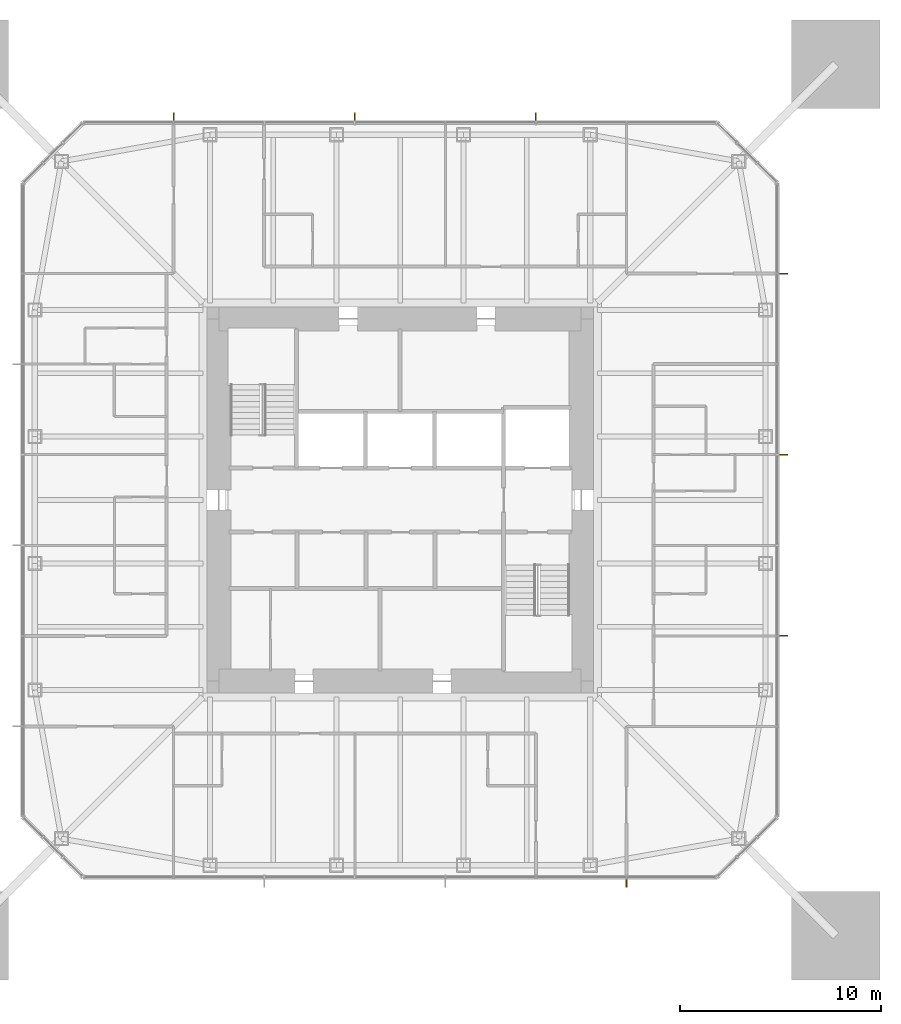
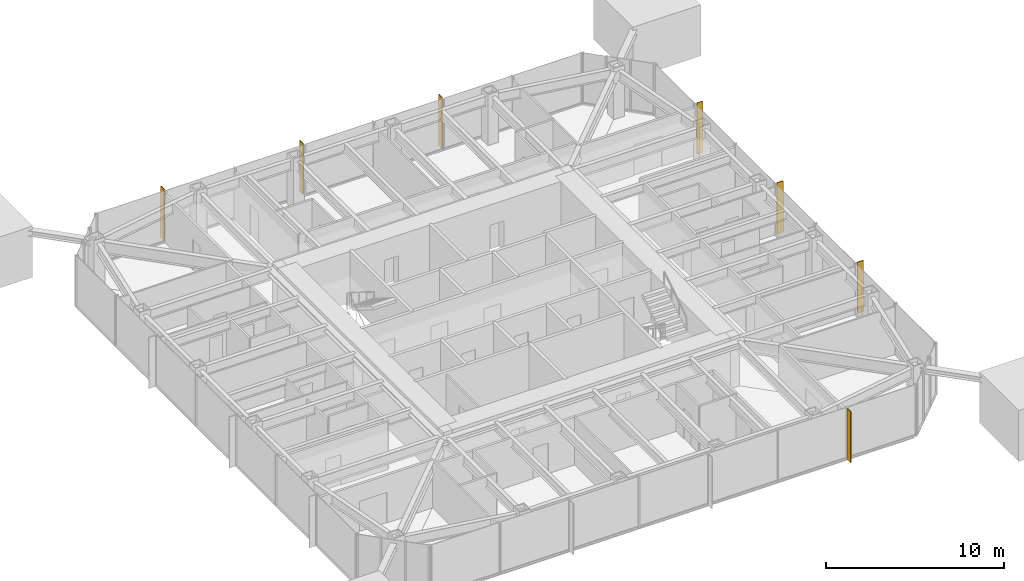
# One storey, part 11 of 11: 7 shading devices.
"""IFC4 building model written with IfcOpenShell, lengths in metres."""

from ifc_helpers import new_model, si_unit, direction, frame, origin, origin_2d, place, context, subcontext, project, spatial, rectangle, extrude, material, layer, layer_set, type_object, element, save


model = new_model("IFC4")

# Units and contexts
model_context = context("Model", 3, precision=1e-05, world=origin(), true_north=direction((0.0, 1.0)))
body_context = subcontext(model_context, "Body", "Model", "MODEL_VIEW")
ifc_project = project(units=[si_unit("LENGTHUNIT", "METRE"), si_unit("AREAUNIT", "SQUARE_METRE"), si_unit("VOLUMEUNIT", "CUBIC_METRE"), si_unit("PLANEANGLEUNIT", "RADIAN"), si_unit("MASSUNIT", "GRAM", prefix="KILO")], contexts=[model_context])

# Site, building, storey
site_placement = place(None, origin())
site = spatial("IfcSite", under=ifc_project, at=site_placement, CompositionType="ELEMENT")
building_placement = place(site_placement, origin())
building = spatial("IfcBuilding", under=site, at=building_placement, Name="Iwan Alto Co-Living Towers", CompositionType="ELEMENT")
storey_placement = place(building_placement, frame((0.0, 0.0, 202.0)))
storey = spatial("IfcBuildingStorey", under=building, at=storey_placement, Name="L55", CompositionType="ELEMENT", Elevation=202.0)

# Shading devices
ifc_material = material(Name="Aluminium 6063-T6 bronze anodised", Category="aluminium")
ifc_layer = layer(ifc_material, 0.050048828125)
ifc_layer_set = layer_set([ifc_layer], Name="BRONZE FIN 50X400")
shading_device_type = type_object("IfcShadingDeviceType", Name="BRONZE FIN 50X400", PredefinedType="USERDEFINED", material=ifc_layer_set)
for number, where, z_axis, x_axis, name in (
    (1, (11.25, -19.050048828125, 0.0), (0.0, 0.0, 1.0), (1.0, 0.0, 0.0), "Bronze fin L55"),
    (2, (19.050048828125, -6.75, 0.0), (0.0, 0.0, 1.0), (0.0, 1.0, 0.0), "Bronze fin L55"),
    (3, (19.050048828125, 2.25, 0.0), (0.0, 0.0, 1.0), (0.0, 1.0, 0.0), "Bronze fin L55"),
    (4, (19.050048828125, 11.25, 0.0), (0.0, 0.0, 1.0), (0.0, 1.0, 0.0), "Bronze fin L55"),
    (5, (6.75, 19.050048828125, 0.0), (0.0, 0.0, 1.0), (-1.0, 0.0, 0.0), "Bronze fin L55"),
    (6, (-2.25, 19.050048828125, 0.0), (0.0, 0.0, 1.0), (-1.0, 0.0, 0.0), "Bronze fin L55"),
    (7, (-11.25, 19.050048828125, 0.0), (0.0, 0.0, 1.0), (-1.0, 0.0, 0.0), "Bronze fin L55"),
):
    element("IfcShadingDevice", number, at=place(storey_placement, frame(where, z_axis=z_axis, x_axis=x_axis)), inside=storey, type_object=shading_device_type, Name=name, ObjectType="LOUVER", PredefinedType="USERDEFINED", context=body_context, shape_type="SweptSolid", body=[
        extrude(rectangle(XDim=0.050048828125, YDim=0.39990234375, at=origin_2d()), origin(), (0.0, 0.0, 1.0), 3.5),
    ])

save(model, "model.ifc")
